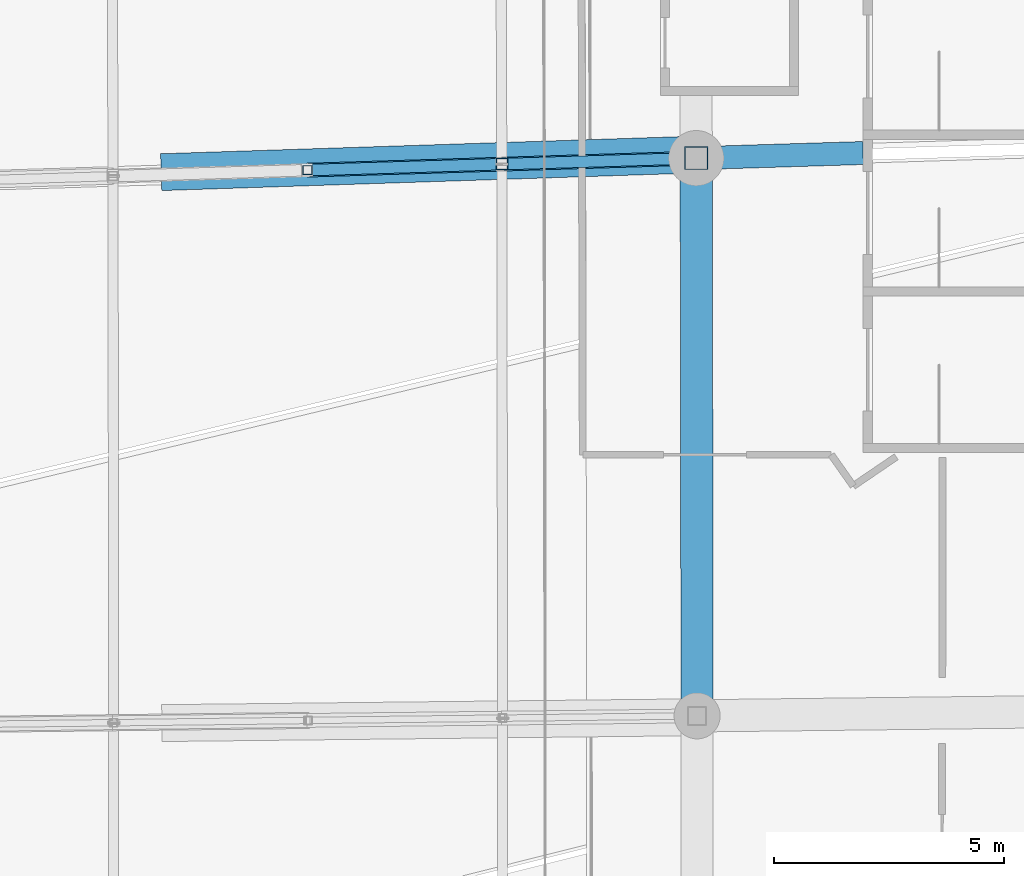
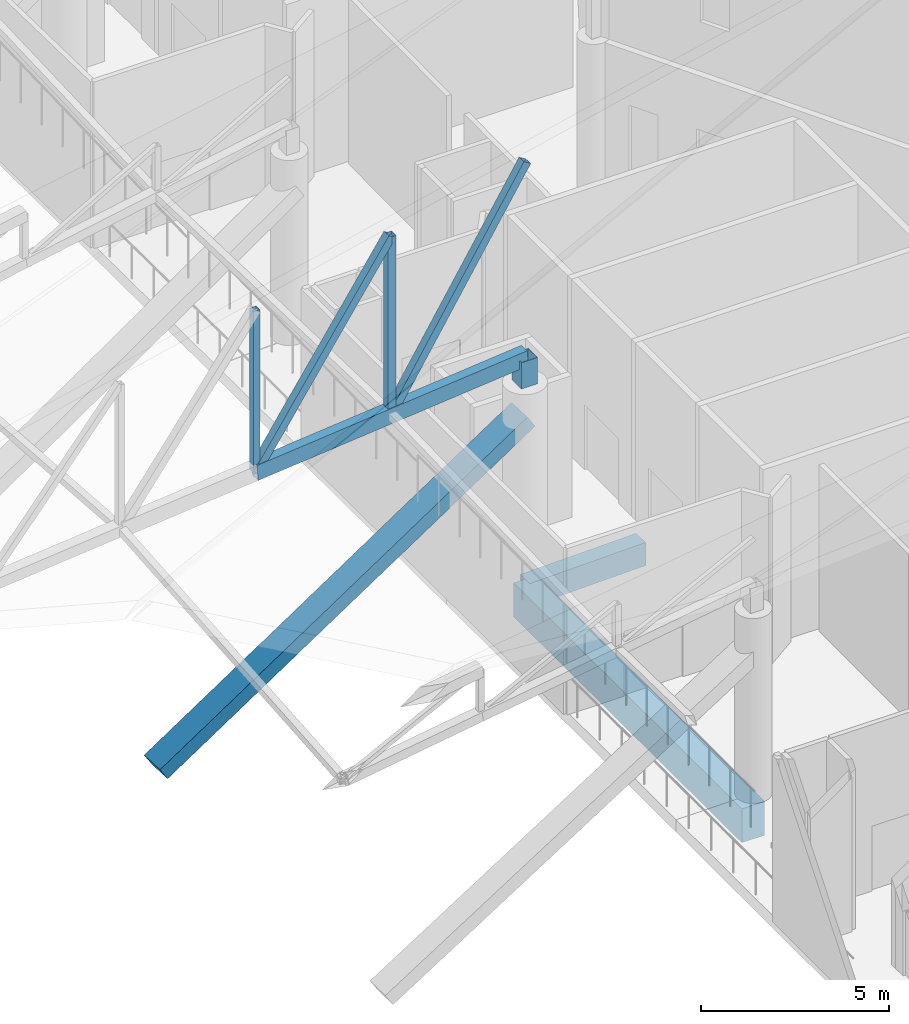
# One storey, part 113 of 344: 6 members, 3 beams.
"""IFC4 building model written with IfcOpenShell, lengths in metres."""

from ifc_helpers import new_model, si_unit, direction, frame, origin, origin_2d, place, context, subcontext, project, spatial, rectangle, hollow_rectangle, extrude, material, material_profile, profile_set, type_object, element, save


model = new_model("IFC4")

# Units and contexts
model_context = context("Model", 3, precision=1e-05, world=origin(), true_north=direction((0.0, 1.0)))
body_context = subcontext(model_context, "Body", "Model", "MODEL_VIEW")
ifc_project = project(units=[si_unit("LENGTHUNIT", "METRE"), si_unit("AREAUNIT", "SQUARE_METRE"), si_unit("VOLUMEUNIT", "CUBIC_METRE"), si_unit("PLANEANGLEUNIT", "RADIAN"), si_unit("MASSUNIT", "GRAM", prefix="KILO")], contexts=[model_context])

# Site, building, storey
site_placement = place(None, origin())
site = spatial("IfcSite", under=ifc_project, at=site_placement, CompositionType="ELEMENT")
building_placement = place(site_placement, origin())
building = spatial("IfcBuilding", under=site, at=building_placement, Name="Meseta Stadium", CompositionType="ELEMENT")
storey_placement = place(building_placement, frame((0.0, 0.0, 24.0)))
storey = spatial("IfcBuildingStorey", under=building, at=storey_placement, Name="L04", CompositionType="ELEMENT", Elevation=24.0)

# Beams
ifc_material_1 = material(Name="Concrete C40/50", Category="concrete")
ifc_material_profile_1 = material_profile(ifc_material_1, rectangle(XDim=0.5, YDim=0.75, at=origin_2d()), Name="RC 500x750")
ifc_profile_set_1 = profile_set([ifc_material_profile_1], Name="Concrete C40/50")
beam_type_1 = type_object("IfcBeamType", Name="RC beam 500x750", PredefinedType="BEAM", material=ifc_profile_set_1)
beam_1_placement = place(storey_placement, frame((84.978515625, 18.24365234375, -0.77490234375), z_axis=(0.999525783299, 0.030792994672, 0.0), x_axis=(-0.030792994672, 0.999525783299, 0.0)))
element("IfcBeam", 1, at=beam_1_placement, inside=storey, type_object=beam_type_1, Name="L04 radial beam frame 6 line P to R", PredefinedType="BEAM", context=body_context, shape_type="SweptSolid", body=[
    extrude(rectangle(XDim=0.5, YDim=0.75, at=origin_2d()), origin(), (0.0, 0.0, 1.0), 3.623291015625),
])
ifc_material_2 = material(Name="Concrete C40/50", Category="concrete")
ifc_material_profile_2 = material_profile(ifc_material_2, rectangle(XDim=0.699951171875, YDim=1.10009765625, at=origin_2d()), Name="RC 700x1100")
ifc_profile_set_2 = profile_set([ifc_material_profile_2], Name="Concrete C40/50")
beam_type_2 = type_object("IfcBeamType", Name="RC beam 700x1100", PredefinedType="BEAM", material=ifc_profile_set_2)
beam_2_placement = place(storey_placement, frame((84.9970703125, 6.13720703125, -0.949951171875), z_axis=(-0.001532627062, 0.999998825526, 0.0), x_axis=(-0.999998825526, -0.001532627062, 0.0)))
element("IfcBeam", 2, at=beam_2_placement, inside=storey, type_object=beam_type_2, Name="L04 ring beam frame 5 line P", PredefinedType="BEAM", context=body_context, shape_type="SweptSolid", body=[
    extrude(rectangle(XDim=0.699951171875, YDim=1.10009765625, at=origin_2d()), origin(), (0.0, 0.0, 1.0), 12.1064453125),
])
ifc_material_3 = material(Name="Concrete C40/50", Category="concrete")
ifc_material_profile_3 = material_profile(ifc_material_3, rectangle(XDim=0.800048828125, YDim=0.449951171875, at=origin_2d()), Name="RC 800x450")
ifc_profile_set_3 = profile_set([ifc_material_profile_3], Name="Concrete C40/50")
beam_type_3 = type_object("IfcBeamType", Name="RC raker upper rear 800x450", PredefinedType="USERDEFINED", material=ifc_profile_set_3)
beam_3_placement = place(storey_placement, frame((73.482421875, 17.943603515625, -2.289306640625), z_axis=(0.847550592425, 0.027868228235, 0.529982410213), x_axis=(-0.032863142058, 0.999459861072, 0.0)))
element("IfcBeam", 3, at=beam_3_placement, inside=storey, type_object=beam_type_3, Name="Raker upper rear frame 6 upper tier", ObjectType="RAKER", PredefinedType="USERDEFINED", context=body_context, shape_type="SweptSolid", body=[
    extrude(rectangle(XDim=0.800048828125, YDim=0.449951171875, at=origin_2d()), origin(), (0.0, 0.0, 1.0), 13.561279296875),
])

# Members
ifc_material_4 = material(Name="Steel S355", Category="steel")
ifc_material_profile_4 = material_profile(ifc_material_4, hollow_rectangle(XDim=0.300048828125, YDim=0.5, WallThickness=0.01611328125, at=origin_2d()), Name="RHS 500x300x16")
ifc_profile_set_4 = profile_set([ifc_material_profile_4], Name="Steel S355")
member_type_1 = type_object("IfcMemberType", Name="RHS 500x300x16 bottom chord", PredefinedType="CHORD", material=ifc_profile_set_4)
member_1_placement = place(storey_placement, frame((76.5380859375, 17.9833984375, 6.242431640625), z_axis=(0.996938786822, 0.030739811025, 0.0718896331), x_axis=(-0.030819553754, 0.999524964724, 0.0)))
element("IfcMember", 4, at=member_1_placement, inside=storey, type_object=member_type_1, Name="ROOF TRUSS RT-06 bottom chord", PredefinedType="CHORD", context=body_context, shape_type="SweptSolid", body=[
    extrude(hollow_rectangle(XDim=0.300048828125, YDim=0.5, WallThickness=0.01611328125, at=origin_2d()), origin(), (0.0, 0.0, 1.0), 8.46630859375),
])
ifc_material_5 = material(Name="Steel S355", Category="steel")
ifc_material_profile_5 = material_profile(ifc_material_5, hollow_rectangle(XDim=0.199951171875, YDim=0.199951171875, WallThickness=0.008056640625, at=origin_2d()), Name="SHS 200x200x8")
ifc_profile_set_5 = profile_set([ifc_material_profile_5], Name="Steel S355")
member_type_2 = type_object("IfcMemberType", Name="SHS 200x200x8 post", PredefinedType="POST", material=ifc_profile_set_5)
member_2_placement = place(storey_placement, frame((76.5380859375, 17.9833984375, 6.242431640625), z_axis=(0.0, 0.0, 1.0), x_axis=(1.0, 0.0, 0.0)))
element("IfcMember", 5, at=member_2_placement, inside=storey, type_object=member_type_2, Name="ROOF TRUSS RT-06 post", PredefinedType="POST", context=body_context, shape_type="SweptSolid", body=[
    extrude(hollow_rectangle(XDim=0.199951171875, YDim=0.199951171875, WallThickness=0.008056640625, at=origin_2d()), origin(), (0.0, 0.0, 1.0), 5.237060546875),
])
ifc_material_6 = material(Name="Steel S355", Category="steel")
ifc_material_profile_6 = material_profile(ifc_material_6, hollow_rectangle(XDim=0.25, YDim=0.25, WallThickness=0.010009765625, at=origin_2d()), Name="SHS 250x250x10")
ifc_profile_set_6 = profile_set([ifc_material_profile_6], Name="Steel S355")
member_type_3 = type_object("IfcMemberType", Name="SHS 250x250x10 diagonal", PredefinedType="BRACE", material=ifc_profile_set_6)
member_3_placement = place(storey_placement, frame((76.5380859375, 17.9833984375, 6.242431640625), z_axis=(0.569533317697, 0.017561104844, 0.821780632304), x_axis=(-0.030819553754, 0.999524964724, 0.0)))
element("IfcMember", 6, at=member_3_placement, inside=storey, type_object=member_type_3, Name="ROOF TRUSS RT-06 diagonal", PredefinedType="BRACE", context=body_context, shape_type="SweptSolid", body=[
    extrude(hollow_rectangle(XDim=0.25, YDim=0.25, WallThickness=0.010009765625, at=origin_2d()), origin(), (0.0, 0.0, 1.0), 7.409912109375),
])
member_4_placement = place(storey_placement, frame((80.75830078125, 18.113525390625, 6.546630859375), z_axis=(0.53646061603, 0.01654133451, 0.843763232016), x_axis=(-0.030819553754, 0.999524964724, 0.0)))
element("IfcMember", 7, at=member_4_placement, inside=storey, type_object=member_type_3, Name="ROOF TRUSS RT-06 diagonal", PredefinedType="BRACE", context=body_context, shape_type="SweptSolid", body=[
    extrude(hollow_rectangle(XDim=0.25, YDim=0.25, WallThickness=0.010009765625, at=origin_2d()), origin(), (0.0, 0.0, 1.0), 7.86669921875),
])
ifc_material_7 = material(Name="Steel S355", Category="steel")
ifc_material_profile_7 = material_profile(ifc_material_7, hollow_rectangle(XDim=0.25, YDim=0.25, WallThickness=0.010009765625, at=origin_2d()), Name="SHS 250x250x10")
ifc_profile_set_7 = profile_set([ifc_material_profile_7], Name="Steel S355")
member_type_4 = type_object("IfcMemberType", Name="SHS 250x250x10 post", PredefinedType="POST", material=ifc_profile_set_7)
member_5_placement = place(storey_placement, frame((80.75830078125, 18.113525390625, 6.546630859375), z_axis=(0.0, 0.0, 1.0), x_axis=(1.0, 0.0, 0.0)))
element("IfcMember", 8, at=member_5_placement, inside=storey, type_object=member_type_4, Name="ROOF TRUSS RT-06 post", PredefinedType="POST", context=body_context, shape_type="SweptSolid", body=[
    extrude(hollow_rectangle(XDim=0.25, YDim=0.25, WallThickness=0.010009765625, at=origin_2d()), origin(), (0.0, 0.0, 1.0), 5.78515625),
])
ifc_material_8 = material(Name="Steel S355", Category="steel")
ifc_material_profile_8 = material_profile(ifc_material_8, hollow_rectangle(XDim=0.5, YDim=0.5, WallThickness=0.01611328125, at=origin_2d()), Name="SHS 500x500x16")
ifc_profile_set_8 = profile_set([ifc_material_profile_8], Name="Steel S355")
member_type_5 = type_object("IfcMemberType", Name="SHS 500x500x16 pedestal", PredefinedType="POST", material=ifc_profile_set_8)
member_6_placement = place(storey_placement, frame((84.978515625, 18.24365234375, 6.0), z_axis=(0.0, 0.0, 1.0), x_axis=(1.0, 0.0, 0.0)))
element("IfcMember", 9, at=member_6_placement, inside=storey, type_object=member_type_5, Name="ROOF TRUSS RT-06 pedestal", PredefinedType="POST", context=body_context, shape_type="SweptSolid", body=[
    extrude(hollow_rectangle(XDim=0.5, YDim=0.5, WallThickness=0.01611328125, at=origin_2d()), origin(), (0.0, 0.0, 1.0), 0.85107421875),
])

save(model, "model.ifc")
